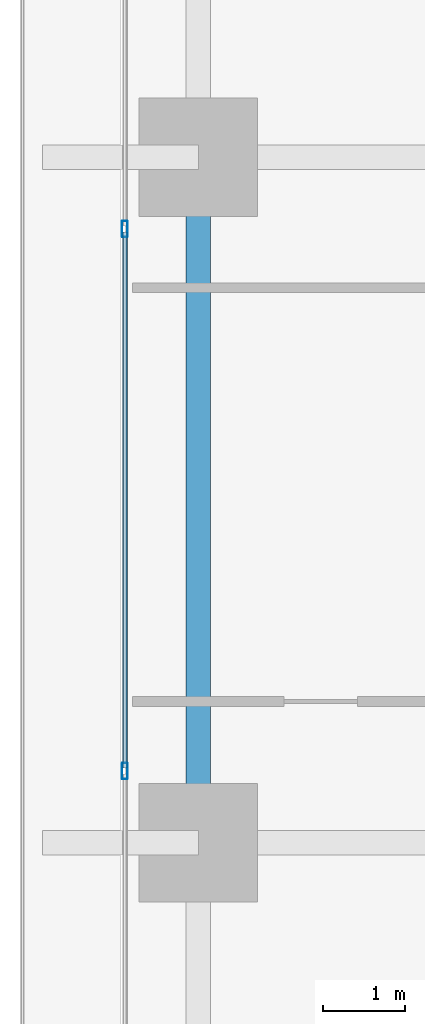
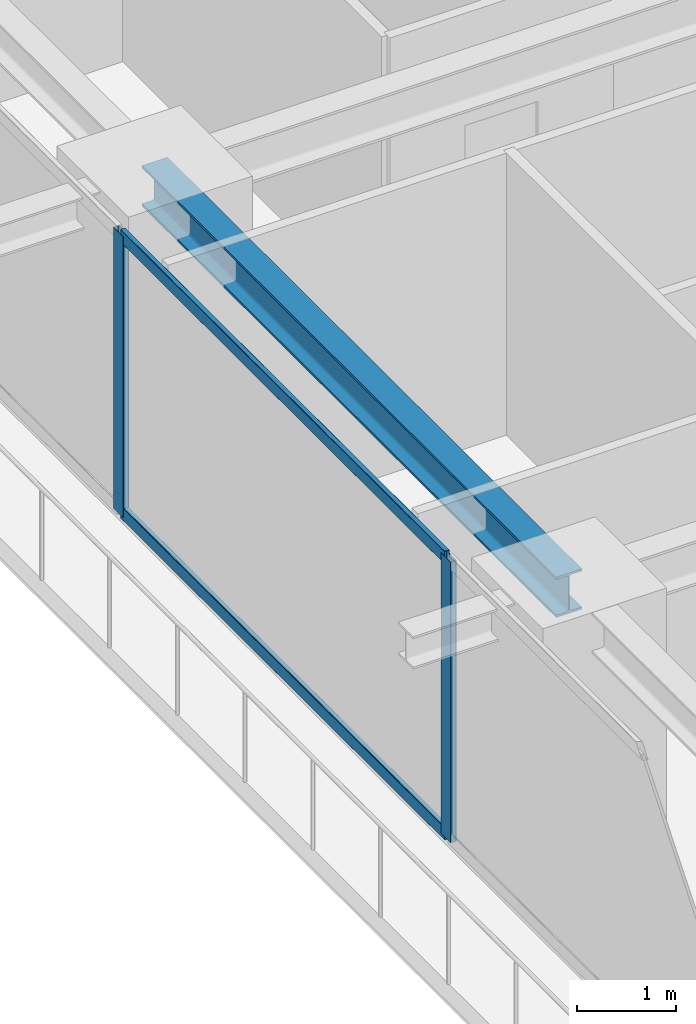
# One storey, part 9 of 39: 4 members, 1 beam, 1 element without a shape of its own.
"""IFC4 building model written with IfcOpenShell, lengths in metres."""

from ifc_helpers import new_model, si_unit, direction, frame, origin, origin_2d, place, context, subcontext, project, spatial, hollow_rectangle, i_section, extrude, source, transform, mapped, material, layer, layer_set, material_profile, profile_set, type_object, element, aggregate, save


model = new_model("IFC4")

# Units and contexts
model_context = context("Model", 3, precision=1e-05, world=origin(), true_north=direction((0.0, 1.0)))
body_context = subcontext(model_context, "Body", "Model", "MODEL_VIEW")
ifc_project = project(units=[si_unit("LENGTHUNIT", "METRE"), si_unit("AREAUNIT", "SQUARE_METRE"), si_unit("VOLUMEUNIT", "CUBIC_METRE"), si_unit("PLANEANGLEUNIT", "RADIAN"), si_unit("MASSUNIT", "GRAM", prefix="KILO")], contexts=[model_context])

# Site, building, storey
site_placement = place(None, origin())
site = spatial("IfcSite", under=ifc_project, at=site_placement, CompositionType="ELEMENT")
building_placement = place(site_placement, origin())
building = spatial("IfcBuilding", under=site, at=building_placement, Name="Serunith Strait Residences", CompositionType="ELEMENT")
storey_placement = place(building_placement, frame((0.0, 0.0, 94.199951171875)))
storey = spatial("IfcBuildingStorey", under=building, at=storey_placement, Name="L23", CompositionType="ELEMENT", Elevation=94.199951171875)

# Beam
ifc_material_1 = material(Name="Steel S355J2", Category="steel")
ifc_material_profile_1 = material_profile(ifc_material_1, i_section(OverallWidth=0.300048828125, OverallDepth=0.5, WebThickness=0.014404296875, FlangeThickness=0.028076171875, FilletRadius=0.027099609375, at=origin_2d()), Name="HEB 500")
ifc_profile_set_1 = profile_set([ifc_material_profile_1], Name="Steel S355J2")
beam_type = type_object("IfcBeamType", Name="BM-HEB500", PredefinedType="BEAM", material=ifc_profile_set_1)
shared_shape_1 = source(origin(), body_context, "Body", "SweptSolid", [
    extrude(i_section(OverallWidth=0.300048828125, OverallDepth=0.5, WebThickness=0.014404296875, FlangeThickness=0.028076171875, FilletRadius=0.027099609375, at=origin_2d()), origin(), (0.0, 0.0, 1.0), 8.39990234375),
])
beam_placement = place(storey_placement, frame((6.89990234375, 29.39990234375, 3.237060546875), z_axis=(0.0, -1.0, 0.0), x_axis=(1.0, 0.0, 0.0)))
element("IfcBeam", 1, at=beam_placement, inside=storey, type_object=beam_type, Name="L23 Perimeter Ring Beam 14", PredefinedType="BEAM", context=body_context, shape_type="MappedRepresentation", body=[
    mapped(shared_shape_1, transform((0.0, 0.0, 0.0), scale=1.0)),
])

# Curtain wall, members
ifc_material_2 = material(Name="Pale-Champagne Anodised Aluminium", Category="aluminium")
ifc_layer = layer(ifc_material_2, 0.199951171875, Name="Pale-Champagne Anodised Aluminium")
ifc_layer_set = layer_set([ifc_layer], Name="Pale-Champagne Anodised Aluminium")
curtain_wall_type = type_object("IfcCurtainWallType", Name="CW-SYS1", PredefinedType="NOTDEFINED", material=ifc_layer_set)
curtain_wall_placement = place(storey_placement, origin())
curtain_wall = element("IfcCurtainWall", 2, at=curtain_wall_placement, inside=storey, type_object=curtain_wall_type, Name="L23 W Unitised Fritted Curtain Wall", PredefinedType="NOTDEFINED")
ifc_material_profile_2 = material_profile(ifc_material_2, hollow_rectangle(XDim=0.070068359375, YDim=0.199951171875, WallThickness=0.00390625, InnerFilletRadius=0.006103515625, OuterFilletRadius=0.010009765625, at=origin_2d()), Name="ALU 200x70x4")
ifc_profile_set_2 = profile_set([ifc_material_profile_2], Name="Pale-Champagne Anodised Aluminium")
member_type_1 = type_object("IfcMemberType", Name="CW-SYS1-MULL", PredefinedType="MULLION", material=ifc_profile_set_2)
shared_shape_2 = source(origin(), body_context, "Body", "SweptSolid", [
    extrude(hollow_rectangle(XDim=0.070068359375, YDim=0.199951171875, WallThickness=0.00390625, InnerFilletRadius=0.006103515625, OuterFilletRadius=0.010009765625, at=origin_2d()), origin(), (0.0, 0.0, 1.0), 3.47509765625),
])
member_1_placement = place(storey_placement, frame((6.0, 28.52001953125, 0.0), z_axis=(0.0, 0.0, 1.0), x_axis=(1.0, 0.0, 0.0)))
member_1 = element("IfcMember", 3, at=member_1_placement, type_object=member_type_1, Name="CW-1 mullion 3", PredefinedType="MULLION", context=body_context, shape_type="MappedRepresentation", body=[
    mapped(shared_shape_2, transform((0.0, 0.0, 0.0), scale=1.0)),
])
member_2_placement = place(storey_placement, frame((6.0, 21.8798828125, 0.0), z_axis=(0.0, 0.0, 1.0), x_axis=(1.0, 0.0, 0.0)))
member_2 = element("IfcMember", 4, at=member_2_placement, type_object=member_type_1, Name="CW-1 mullion 4", PredefinedType="MULLION", context=body_context, shape_type="MappedRepresentation", body=[
    mapped(shared_shape_2, transform((0.0, 0.0, 0.0), scale=1.0)),
])
ifc_material_profile_3 = material_profile(ifc_material_2, hollow_rectangle(XDim=0.06005859375, YDim=0.159912109375, WallThickness=0.00341796875, InnerFilletRadius=0.00537109375, OuterFilletRadius=0.0087890625, at=origin_2d()), Name="ALU 160x60x3.5")
ifc_profile_set_3 = profile_set([ifc_material_profile_3], Name="Pale-Champagne Anodised Aluminium")
member_type_2 = type_object("IfcMemberType", Name="CW-SYS1-TRAN", PredefinedType="USERDEFINED", material=ifc_profile_set_3)
shared_shape_3 = source(origin(), body_context, "Body", "SweptSolid", [
    extrude(hollow_rectangle(XDim=0.06005859375, YDim=0.159912109375, WallThickness=0.00341796875, InnerFilletRadius=0.00537109375, OuterFilletRadius=0.0087890625, at=origin_2d()), origin(), (0.0, 0.0, 1.0), 6.570068359375),
])
member_3_placement = place(storey_placement, frame((6.0, 28.485107421875, 0.030029296875), z_axis=(0.0, -1.0, 0.0), x_axis=(1.0, 0.0, 0.0)))
member_3 = element("IfcMember", 5, at=member_3_placement, type_object=member_type_2, Name="CW-1 transom 3.1", ObjectType="TRANSOM", PredefinedType="USERDEFINED", context=body_context, shape_type="MappedRepresentation", body=[
    mapped(shared_shape_3, transform((0.0, 0.0, 0.0), scale=1.0)),
])
member_4_placement = place(storey_placement, frame((6.0, 28.485107421875, 3.445068359375), z_axis=(0.0, -1.0, 0.0), x_axis=(1.0, 0.0, 0.0)))
member_4 = element("IfcMember", 6, at=member_4_placement, type_object=member_type_2, Name="CW-1 transom 3.2", ObjectType="TRANSOM", PredefinedType="USERDEFINED", context=body_context, shape_type="MappedRepresentation", body=[
    mapped(shared_shape_3, transform((0.0, 0.0, 0.0), scale=1.0)),
])
aggregate(curtain_wall, [member_1, member_2, member_3, member_4])

save(model, "model.ifc")
